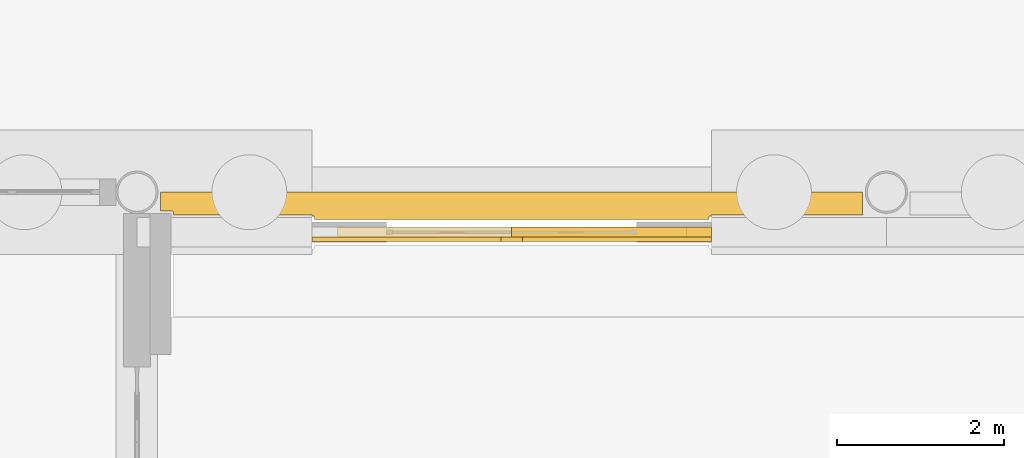
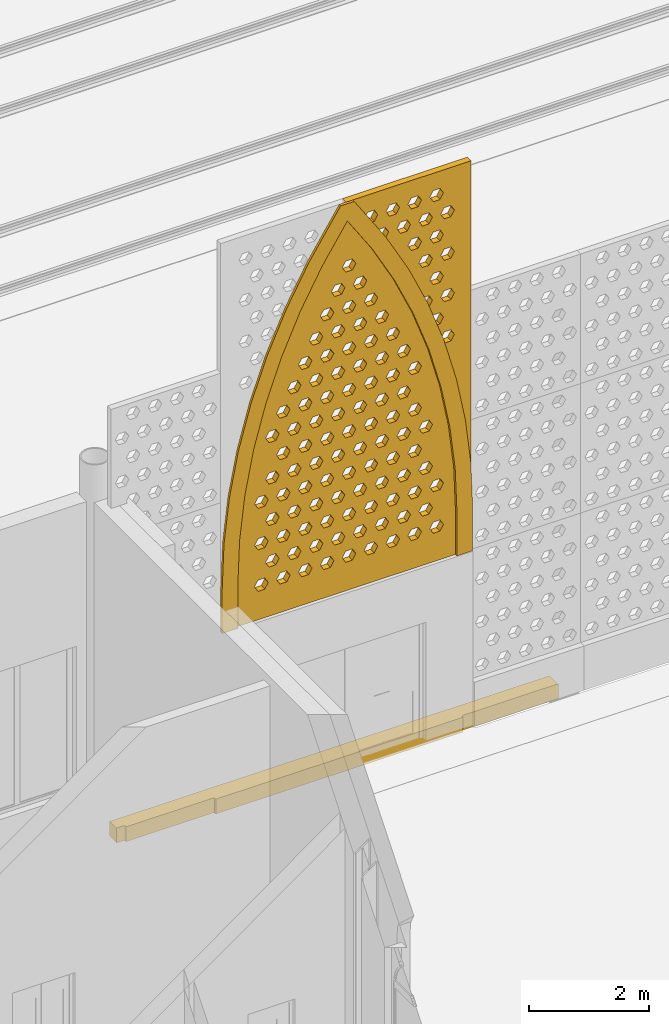
# One storey, part 186 of 250: 2 coverings, 2 shading devices.
"""IFC4 building model written with IfcOpenShell, lengths in metres."""

from ifc_helpers import new_model, si_unit, direction, frame, origin, place, context, subcontext, project, spatial, polyline, outline, extrude, material, layer, layer_set, type_object, element, save


model = new_model("IFC4")

# Units and contexts
model_context = context("Model", 3, precision=1e-05, world=origin(), true_north=direction((0.0, 1.0)))
body_context = subcontext(model_context, "Body", "Model", "MODEL_VIEW")
ifc_project = project(units=[si_unit("LENGTHUNIT", "METRE"), si_unit("AREAUNIT", "SQUARE_METRE"), si_unit("VOLUMEUNIT", "CUBIC_METRE"), si_unit("PLANEANGLEUNIT", "RADIAN"), si_unit("MASSUNIT", "GRAM", prefix="KILO")], contexts=[model_context])

# Site, building, storey
site_placement = place(None, origin())
site = spatial("IfcSite", under=ifc_project, at=site_placement, CompositionType="ELEMENT")
building_placement = place(site_placement, origin())
building = spatial("IfcBuilding", under=site, at=building_placement, Name="Baradari Gate Terminus", CompositionType="ELEMENT")
storey_placement = place(building_placement, origin())
storey = spatial("IfcBuildingStorey", under=building, at=storey_placement, Name="L00", CompositionType="ELEMENT", Elevation=0.0)

# Covering
ifc_material_1 = material(Name="Laterite masonry", Category="masonry")
ifc_layer_1 = layer(ifc_material_1, 0.050048828125)
ifc_layer_set_1 = layer_set([ifc_layer_1], Name="Laterite masonry")
covering_type_1 = type_object("IfcCoveringType", Name="Arch ring RG-1 50", PredefinedType="CLADDING", material=ifc_layer_set_1)
covering_1_placement = place(storey_placement, frame((155.10009765625, 35.43505859375, 3.52490234375), z_axis=(0.0, 0.0, 1.0), x_axis=(1.0, 0.0, 0.0)))
element("IfcCovering", 1, at=covering_1_placement, inside=storey, type_object=covering_type_1, Name="Arch ring RG-1 SC00b", PredefinedType="CLADDING", context=body_context, shape_type="SweptSolid", body=[
    extrude(outline(polyline([(0.034423828125, 1.8046875), (0.0, 0.90576171875), (0.0, 0.0), (0.300048828125, 0.0), (0.300048828125, 0.900146484375), (0.333740234375, 1.78173828125), (0.435302734375, 2.658203125), (0.603515625, 3.5244140625), (0.837646484375, 4.375), (1.13623046875, 5.205322265625), (1.49755859375, 6.01025390625), (1.919677734375, 6.784912109375), (2.39990234375, 7.525146484375), (2.880126953125, 6.784912109375), (3.30224609375, 6.01025390625), (3.663818359375, 5.205322265625), (3.96240234375, 4.375), (4.196533203125, 3.5244140625), (4.36474609375, 2.658203125), (4.466064453125, 1.78173828125), (4.5, 0.900146484375), (4.5, 0.0), (4.800048828125, 0.0), (4.800048828125, 0.90576171875), (4.765380859375, 1.8046875), (4.66162109375, 2.7041015625), (4.48876953125, 3.5927734375), (4.24853515625, 4.4658203125), (3.942138671875, 5.317626953125), (3.5712890625, 6.1435546875), (3.13818359375, 6.9384765625), (2.530517578125, 7.875), (2.26953125, 7.875), (1.661865234375, 6.9384765625), (1.228759765625, 6.1435546875), (0.85791015625, 5.317626953125), (0.55126953125, 4.4658203125), (0.31103515625, 3.5927734375), (0.138427734375, 2.7041015625), (0.034423828125, 1.8046875)])), frame((0.0, 0.02490234375, 0.0), z_axis=(0.0, -1.0, 0.0), x_axis=(1.0, 0.0, 0.0)), (0.0, 0.0, 1.0), 0.050048828125),
])

# Shading devices
ifc_material_2 = material(Name="Concrete C50/60 precast", Category="concrete")
ifc_layer_2 = layer(ifc_material_2, 0.1201171875)
ifc_layer_set_2 = layer_set([ifc_layer_2], Name="Concrete C50/60 precast")
shading_device_type = type_object("IfcShadingDeviceType", Name="Jali screen panel JS-2 120", PredefinedType="SHUTTER", material=ifc_layer_set_2)
shading_device_1_placement = place(storey_placement, frame((155.39990234375, 35.52001953125, 3.52490234375), z_axis=(0.0, 0.0, 1.0), x_axis=(1.0, 0.0, 0.0)))
element("IfcShadingDevice", 2, at=shading_device_1_placement, inside=storey, type_object=shading_device_type, Name="Jali screen panel JS-2 SC00b arch A", PredefinedType="SHUTTER", context=body_context, shape_type="SweptSolid", body=[
    extrude(outline(polyline([(0.0, 0.900146484375), (0.0, 0.0), (4.199951171875, 0.0), (4.199951171875, 0.900146484375), (4.166259765625, 1.78173828125), (4.064697265625, 2.658203125), (3.896484375, 3.5244140625), (3.662353515625, 4.375), (3.36376953125, 5.205322265625), (3.00244140625, 6.01025390625), (2.580322265625, 6.784912109375), (2.10009765625, 7.525146484375), (1.619873046875, 6.784912109375), (1.19775390625, 6.01025390625), (0.836181640625, 5.205322265625), (0.53759765625, 4.375), (0.303466796875, 3.5244140625), (0.13525390625, 2.658203125), (0.033935546875, 1.78173828125), (0.0, 0.900146484375)]), holes=[polyline([(0.610107421875, 0.690185546875), (0.544921875, 0.57763671875), (0.4150390625, 0.57763671875), (0.35009765625, 0.690185546875), (0.4150390625, 0.802734375), (0.544921875, 0.802734375), (0.610107421875, 0.690185546875)]), polyline([(1.030029296875, 0.690185546875), (0.965087890625, 0.57763671875), (0.8349609375, 0.57763671875), (0.77001953125, 0.690185546875), (0.8349609375, 0.802734375), (0.965087890625, 0.802734375), (1.030029296875, 0.690185546875)]), polyline([(1.449951171875, 0.690185546875), (1.385009765625, 0.57763671875), (1.2548828125, 0.57763671875), (1.18994140625, 0.690185546875), (1.2548828125, 0.802734375), (1.385009765625, 0.802734375), (1.449951171875, 0.690185546875)]), polyline([(1.8701171875, 0.690185546875), (1.804931640625, 0.57763671875), (1.675048828125, 0.57763671875), (1.610107421875, 0.690185546875), (1.675048828125, 0.802734375), (1.804931640625, 0.802734375), (1.8701171875, 0.690185546875)]), polyline([(2.2900390625, 0.690185546875), (2.22509765625, 0.57763671875), (2.094970703125, 0.57763671875), (2.030029296875, 0.690185546875), (2.094970703125, 0.802734375), (2.22509765625, 0.802734375), (2.2900390625, 0.690185546875)]), polyline([(2.7099609375, 0.690185546875), (2.64501953125, 0.57763671875), (2.514892578125, 0.57763671875), (2.449951171875, 0.690185546875), (2.514892578125, 0.802734375), (2.64501953125, 0.802734375), (2.7099609375, 0.690185546875)]), polyline([(3.1298828125, 0.690185546875), (3.06494140625, 0.57763671875), (2.93505859375, 0.57763671875), (2.8701171875, 0.690185546875), (2.93505859375, 0.802734375), (3.06494140625, 0.802734375), (3.1298828125, 0.690185546875)]), polyline([(3.550048828125, 0.690185546875), (3.485107421875, 0.57763671875), (3.35498046875, 0.57763671875), (3.2900390625, 0.690185546875), (3.35498046875, 0.802734375), (3.485107421875, 0.802734375), (3.550048828125, 0.690185546875)]), polyline([(3.969970703125, 0.690185546875), (3.905029296875, 0.57763671875), (3.77490234375, 0.57763671875), (3.7099609375, 0.690185546875), (3.77490234375, 0.802734375), (3.905029296875, 0.802734375), (3.969970703125, 0.690185546875)]), polyline([(0.820068359375, 1.110107421875), (0.7548828125, 0.99755859375), (0.625, 0.99755859375), (0.56005859375, 1.110107421875), (0.625, 1.22265625), (0.7548828125, 1.22265625), (0.820068359375, 1.110107421875)]), polyline([(1.239990234375, 1.110107421875), (1.175048828125, 0.99755859375), (1.044921875, 0.99755859375), (0.97998046875, 1.110107421875), (1.044921875, 1.22265625), (1.175048828125, 1.22265625), (1.239990234375, 1.110107421875)]), polyline([(1.659912109375, 1.110107421875), (1.594970703125, 0.99755859375), (1.465087890625, 0.99755859375), (1.39990234375, 1.110107421875), (1.465087890625, 1.22265625), (1.594970703125, 1.22265625), (1.659912109375, 1.110107421875)]), polyline([(2.080078125, 1.110107421875), (2.014892578125, 0.99755859375), (1.885009765625, 0.99755859375), (1.820068359375, 1.110107421875), (1.885009765625, 1.22265625), (2.014892578125, 1.22265625), (2.080078125, 1.110107421875)]), polyline([(2.5, 1.110107421875), (2.43505859375, 0.99755859375), (2.304931640625, 0.99755859375), (2.239990234375, 1.110107421875), (2.304931640625, 1.22265625), (2.43505859375, 1.22265625), (2.5, 1.110107421875)]), polyline([(2.919921875, 1.110107421875), (2.85498046875, 0.99755859375), (2.72509765625, 0.99755859375), (2.659912109375, 1.110107421875), (2.72509765625, 1.22265625), (2.85498046875, 1.22265625), (2.919921875, 1.110107421875)]), polyline([(3.340087890625, 1.110107421875), (3.27490234375, 0.99755859375), (3.14501953125, 0.99755859375), (3.080078125, 1.110107421875), (3.14501953125, 1.22265625), (3.27490234375, 1.22265625), (3.340087890625, 1.110107421875)]), polyline([(3.760009765625, 1.110107421875), (3.695068359375, 0.99755859375), (3.56494140625, 0.99755859375), (3.5, 1.110107421875), (3.56494140625, 1.22265625), (3.695068359375, 1.22265625), (3.760009765625, 1.110107421875)]), polyline([(0.610107421875, 1.530029296875), (0.544921875, 1.41748046875), (0.4150390625, 1.41748046875), (0.35009765625, 1.530029296875), (0.4150390625, 1.642578125), (0.544921875, 1.642578125), (0.610107421875, 1.530029296875)]), polyline([(1.030029296875, 1.530029296875), (0.965087890625, 1.41748046875), (0.8349609375, 1.41748046875), (0.77001953125, 1.530029296875), (0.8349609375, 1.642578125), (0.965087890625, 1.642578125), (1.030029296875, 1.530029296875)]), polyline([(1.449951171875, 1.530029296875), (1.385009765625, 1.41748046875), (1.2548828125, 1.41748046875), (1.18994140625, 1.530029296875), (1.2548828125, 1.642578125), (1.385009765625, 1.642578125), (1.449951171875, 1.530029296875)]), polyline([(1.8701171875, 1.530029296875), (1.804931640625, 1.41748046875), (1.675048828125, 1.41748046875), (1.610107421875, 1.530029296875), (1.675048828125, 1.642578125), (1.804931640625, 1.642578125), (1.8701171875, 1.530029296875)]), polyline([(2.2900390625, 1.530029296875), (2.22509765625, 1.41748046875), (2.094970703125, 1.41748046875), (2.030029296875, 1.530029296875), (2.094970703125, 1.642578125), (2.22509765625, 1.642578125), (2.2900390625, 1.530029296875)]), polyline([(2.7099609375, 1.530029296875), (2.64501953125, 1.41748046875), (2.514892578125, 1.41748046875), (2.449951171875, 1.530029296875), (2.514892578125, 1.642578125), (2.64501953125, 1.642578125), (2.7099609375, 1.530029296875)]), polyline([(3.1298828125, 1.530029296875), (3.06494140625, 1.41748046875), (2.93505859375, 1.41748046875), (2.8701171875, 1.530029296875), (2.93505859375, 1.642578125), (3.06494140625, 1.642578125), (3.1298828125, 1.530029296875)]), polyline([(3.550048828125, 1.530029296875), (3.485107421875, 1.41748046875), (3.35498046875, 1.41748046875), (3.2900390625, 1.530029296875), (3.35498046875, 1.642578125), (3.485107421875, 1.642578125), (3.550048828125, 1.530029296875)]), polyline([(3.969970703125, 1.530029296875), (3.905029296875, 1.41748046875), (3.77490234375, 1.41748046875), (3.7099609375, 1.530029296875), (3.77490234375, 1.642578125), (3.905029296875, 1.642578125), (3.969970703125, 1.530029296875)]), polyline([(0.820068359375, 1.9501953125), (0.7548828125, 1.83740234375), (0.625, 1.83740234375), (0.56005859375, 1.9501953125), (0.625, 2.062744140625), (0.7548828125, 2.062744140625), (0.820068359375, 1.9501953125)]), polyline([(1.239990234375, 1.9501953125), (1.175048828125, 1.83740234375), (1.044921875, 1.83740234375), (0.97998046875, 1.9501953125), (1.044921875, 2.062744140625), (1.175048828125, 2.062744140625), (1.239990234375, 1.9501953125)]), polyline([(1.659912109375, 1.9501953125), (1.594970703125, 1.83740234375), (1.465087890625, 1.83740234375), (1.39990234375, 1.9501953125), (1.465087890625, 2.062744140625), (1.594970703125, 2.062744140625), (1.659912109375, 1.9501953125)]), polyline([(2.080078125, 1.9501953125), (2.014892578125, 1.83740234375), (1.885009765625, 1.83740234375), (1.820068359375, 1.9501953125), (1.885009765625, 2.062744140625), (2.014892578125, 2.062744140625), (2.080078125, 1.9501953125)]), polyline([(2.5, 1.9501953125), (2.43505859375, 1.83740234375), (2.304931640625, 1.83740234375), (2.239990234375, 1.9501953125), (2.304931640625, 2.062744140625), (2.43505859375, 2.062744140625), (2.5, 1.9501953125)]), polyline([(2.919921875, 1.9501953125), (2.85498046875, 1.83740234375), (2.72509765625, 1.83740234375), (2.659912109375, 1.9501953125), (2.72509765625, 2.062744140625), (2.85498046875, 2.062744140625), (2.919921875, 1.9501953125)]), polyline([(3.340087890625, 1.9501953125), (3.27490234375, 1.83740234375), (3.14501953125, 1.83740234375), (3.080078125, 1.9501953125), (3.14501953125, 2.062744140625), (3.27490234375, 2.062744140625), (3.340087890625, 1.9501953125)]), polyline([(3.760009765625, 1.9501953125), (3.695068359375, 1.83740234375), (3.56494140625, 1.83740234375), (3.5, 1.9501953125), (3.56494140625, 2.062744140625), (3.695068359375, 2.062744140625), (3.760009765625, 1.9501953125)]), polyline([(0.610107421875, 2.3701171875), (0.544921875, 2.257568359375), (0.4150390625, 2.257568359375), (0.35009765625, 2.3701171875), (0.4150390625, 2.482666015625), (0.544921875, 2.482666015625), (0.610107421875, 2.3701171875)]), polyline([(1.030029296875, 2.3701171875), (0.965087890625, 2.257568359375), (0.8349609375, 2.257568359375), (0.77001953125, 2.3701171875), (0.8349609375, 2.482666015625), (0.965087890625, 2.482666015625), (1.030029296875, 2.3701171875)]), polyline([(1.449951171875, 2.3701171875), (1.385009765625, 2.257568359375), (1.2548828125, 2.257568359375), (1.18994140625, 2.3701171875), (1.2548828125, 2.482666015625), (1.385009765625, 2.482666015625), (1.449951171875, 2.3701171875)]), polyline([(1.8701171875, 2.3701171875), (1.804931640625, 2.257568359375), (1.675048828125, 2.257568359375), (1.610107421875, 2.3701171875), (1.675048828125, 2.482666015625), (1.804931640625, 2.482666015625), (1.8701171875, 2.3701171875)]), polyline([(2.2900390625, 2.3701171875), (2.22509765625, 2.257568359375), (2.094970703125, 2.257568359375), (2.030029296875, 2.3701171875), (2.094970703125, 2.482666015625), (2.22509765625, 2.482666015625), (2.2900390625, 2.3701171875)]), polyline([(2.7099609375, 2.3701171875), (2.64501953125, 2.257568359375), (2.514892578125, 2.257568359375), (2.449951171875, 2.3701171875), (2.514892578125, 2.482666015625), (2.64501953125, 2.482666015625), (2.7099609375, 2.3701171875)]), polyline([(3.1298828125, 2.3701171875), (3.06494140625, 2.257568359375), (2.93505859375, 2.257568359375), (2.8701171875, 2.3701171875), (2.93505859375, 2.482666015625), (3.06494140625, 2.482666015625), (3.1298828125, 2.3701171875)]), polyline([(3.550048828125, 2.3701171875), (3.485107421875, 2.257568359375), (3.35498046875, 2.257568359375), (3.2900390625, 2.3701171875), (3.35498046875, 2.482666015625), (3.485107421875, 2.482666015625), (3.550048828125, 2.3701171875)]), polyline([(0.820068359375, 2.7900390625), (0.7548828125, 2.677490234375), (0.625, 2.677490234375), (0.56005859375, 2.7900390625), (0.625, 2.902587890625), (0.7548828125, 2.902587890625), (0.820068359375, 2.7900390625)]), polyline([(1.239990234375, 2.7900390625), (1.175048828125, 2.677490234375), (1.044921875, 2.677490234375), (0.97998046875, 2.7900390625), (1.044921875, 2.902587890625), (1.175048828125, 2.902587890625), (1.239990234375, 2.7900390625)]), polyline([(1.659912109375, 2.7900390625), (1.594970703125, 2.677490234375), (1.465087890625, 2.677490234375), (1.39990234375, 2.7900390625), (1.465087890625, 2.902587890625), (1.594970703125, 2.902587890625), (1.659912109375, 2.7900390625)]), polyline([(2.080078125, 2.7900390625), (2.014892578125, 2.677490234375), (1.885009765625, 2.677490234375), (1.820068359375, 2.7900390625), (1.885009765625, 2.902587890625), (2.014892578125, 2.902587890625), (2.080078125, 2.7900390625)]), polyline([(2.5, 2.7900390625), (2.43505859375, 2.677490234375), (2.304931640625, 2.677490234375), (2.239990234375, 2.7900390625), (2.304931640625, 2.902587890625), (2.43505859375, 2.902587890625), (2.5, 2.7900390625)]), polyline([(2.919921875, 2.7900390625), (2.85498046875, 2.677490234375), (2.72509765625, 2.677490234375), (2.659912109375, 2.7900390625), (2.72509765625, 2.902587890625), (2.85498046875, 2.902587890625), (2.919921875, 2.7900390625)]), polyline([(3.340087890625, 2.7900390625), (3.27490234375, 2.677490234375), (3.14501953125, 2.677490234375), (3.080078125, 2.7900390625), (3.14501953125, 2.902587890625), (3.27490234375, 2.902587890625), (3.340087890625, 2.7900390625)]), polyline([(3.760009765625, 2.7900390625), (3.695068359375, 2.677490234375), (3.56494140625, 2.677490234375), (3.5, 2.7900390625), (3.56494140625, 2.902587890625), (3.695068359375, 2.902587890625), (3.760009765625, 2.7900390625)]), polyline([(1.030029296875, 3.210205078125), (0.965087890625, 3.097412109375), (0.8349609375, 3.097412109375), (0.77001953125, 3.210205078125), (0.8349609375, 3.32275390625), (0.965087890625, 3.32275390625), (1.030029296875, 3.210205078125)]), polyline([(1.449951171875, 3.210205078125), (1.385009765625, 3.097412109375), (1.2548828125, 3.097412109375), (1.18994140625, 3.210205078125), (1.2548828125, 3.32275390625), (1.385009765625, 3.32275390625), (1.449951171875, 3.210205078125)]), polyline([(1.8701171875, 3.210205078125), (1.804931640625, 3.097412109375), (1.675048828125, 3.097412109375), (1.610107421875, 3.210205078125), (1.675048828125, 3.32275390625), (1.804931640625, 3.32275390625), (1.8701171875, 3.210205078125)]), polyline([(2.2900390625, 3.210205078125), (2.22509765625, 3.097412109375), (2.094970703125, 3.097412109375), (2.030029296875, 3.210205078125), (2.094970703125, 3.32275390625), (2.22509765625, 3.32275390625), (2.2900390625, 3.210205078125)]), polyline([(2.7099609375, 3.210205078125), (2.64501953125, 3.097412109375), (2.514892578125, 3.097412109375), (2.449951171875, 3.210205078125), (2.514892578125, 3.32275390625), (2.64501953125, 3.32275390625), (2.7099609375, 3.210205078125)]), polyline([(3.1298828125, 3.210205078125), (3.06494140625, 3.097412109375), (2.93505859375, 3.097412109375), (2.8701171875, 3.210205078125), (2.93505859375, 3.32275390625), (3.06494140625, 3.32275390625), (3.1298828125, 3.210205078125)]), polyline([(3.550048828125, 3.210205078125), (3.485107421875, 3.097412109375), (3.35498046875, 3.097412109375), (3.2900390625, 3.210205078125), (3.35498046875, 3.32275390625), (3.485107421875, 3.32275390625), (3.550048828125, 3.210205078125)]), polyline([(0.820068359375, 3.630126953125), (0.7548828125, 3.517578125), (0.625, 3.517578125), (0.56005859375, 3.630126953125), (0.625, 3.74267578125), (0.7548828125, 3.74267578125), (0.820068359375, 3.630126953125)]), polyline([(1.239990234375, 3.630126953125), (1.175048828125, 3.517578125), (1.044921875, 3.517578125), (0.97998046875, 3.630126953125), (1.044921875, 3.74267578125), (1.175048828125, 3.74267578125), (1.239990234375, 3.630126953125)]), polyline([(1.659912109375, 3.630126953125), (1.594970703125, 3.517578125), (1.465087890625, 3.517578125), (1.39990234375, 3.630126953125), (1.465087890625, 3.74267578125), (1.594970703125, 3.74267578125), (1.659912109375, 3.630126953125)]), polyline([(2.080078125, 3.630126953125), (2.014892578125, 3.517578125), (1.885009765625, 3.517578125), (1.820068359375, 3.630126953125), (1.885009765625, 3.74267578125), (2.014892578125, 3.74267578125), (2.080078125, 3.630126953125)]), polyline([(2.5, 3.630126953125), (2.43505859375, 3.517578125), (2.304931640625, 3.517578125), (2.239990234375, 3.630126953125), (2.304931640625, 3.74267578125), (2.43505859375, 3.74267578125), (2.5, 3.630126953125)]), polyline([(2.919921875, 3.630126953125), (2.85498046875, 3.517578125), (2.72509765625, 3.517578125), (2.659912109375, 3.630126953125), (2.72509765625, 3.74267578125), (2.85498046875, 3.74267578125), (2.919921875, 3.630126953125)]), polyline([(3.340087890625, 3.630126953125), (3.27490234375, 3.517578125), (3.14501953125, 3.517578125), (3.080078125, 3.630126953125), (3.14501953125, 3.74267578125), (3.27490234375, 3.74267578125), (3.340087890625, 3.630126953125)]), polyline([(1.030029296875, 4.050048828125), (0.965087890625, 3.9375), (0.8349609375, 3.9375), (0.77001953125, 4.050048828125), (0.8349609375, 4.16259765625), (0.965087890625, 4.16259765625), (1.030029296875, 4.050048828125)]), polyline([(1.449951171875, 4.050048828125), (1.385009765625, 3.9375), (1.2548828125, 3.9375), (1.18994140625, 4.050048828125), (1.2548828125, 4.16259765625), (1.385009765625, 4.16259765625), (1.449951171875, 4.050048828125)]), polyline([(1.8701171875, 4.050048828125), (1.804931640625, 3.9375), (1.675048828125, 3.9375), (1.610107421875, 4.050048828125), (1.675048828125, 4.16259765625), (1.804931640625, 4.16259765625), (1.8701171875, 4.050048828125)]), polyline([(2.2900390625, 4.050048828125), (2.22509765625, 3.9375), (2.094970703125, 3.9375), (2.030029296875, 4.050048828125), (2.094970703125, 4.16259765625), (2.22509765625, 4.16259765625), (2.2900390625, 4.050048828125)]), polyline([(2.7099609375, 4.050048828125), (2.64501953125, 3.9375), (2.514892578125, 3.9375), (2.449951171875, 4.050048828125), (2.514892578125, 4.16259765625), (2.64501953125, 4.16259765625), (2.7099609375, 4.050048828125)]), polyline([(3.1298828125, 4.050048828125), (3.06494140625, 3.9375), (2.93505859375, 3.9375), (2.8701171875, 4.050048828125), (2.93505859375, 4.16259765625), (3.06494140625, 4.16259765625), (3.1298828125, 4.050048828125)]), polyline([(3.550048828125, 4.050048828125), (3.485107421875, 3.9375), (3.35498046875, 3.9375), (3.2900390625, 4.050048828125), (3.35498046875, 4.16259765625), (3.485107421875, 4.16259765625), (3.550048828125, 4.050048828125)]), polyline([(1.239990234375, 4.47021484375), (1.175048828125, 4.357421875), (1.044921875, 4.357421875), (0.97998046875, 4.47021484375), (1.044921875, 4.582763671875), (1.175048828125, 4.582763671875), (1.239990234375, 4.47021484375)]), polyline([(1.659912109375, 4.47021484375), (1.594970703125, 4.357421875), (1.465087890625, 4.357421875), (1.39990234375, 4.47021484375), (1.465087890625, 4.582763671875), (1.594970703125, 4.582763671875), (1.659912109375, 4.47021484375)]), polyline([(2.080078125, 4.47021484375), (2.014892578125, 4.357421875), (1.885009765625, 4.357421875), (1.820068359375, 4.47021484375), (1.885009765625, 4.582763671875), (2.014892578125, 4.582763671875), (2.080078125, 4.47021484375)]), polyline([(2.5, 4.47021484375), (2.43505859375, 4.357421875), (2.304931640625, 4.357421875), (2.239990234375, 4.47021484375), (2.304931640625, 4.582763671875), (2.43505859375, 4.582763671875), (2.5, 4.47021484375)]), polyline([(2.919921875, 4.47021484375), (2.85498046875, 4.357421875), (2.72509765625, 4.357421875), (2.659912109375, 4.47021484375), (2.72509765625, 4.582763671875), (2.85498046875, 4.582763671875), (2.919921875, 4.47021484375)]), polyline([(3.340087890625, 4.47021484375), (3.27490234375, 4.357421875), (3.14501953125, 4.357421875), (3.080078125, 4.47021484375), (3.14501953125, 4.582763671875), (3.27490234375, 4.582763671875), (3.340087890625, 4.47021484375)]), polyline([(1.449951171875, 4.89013671875), (1.385009765625, 4.777587890625), (1.2548828125, 4.777587890625), (1.18994140625, 4.89013671875), (1.2548828125, 5.002685546875), (1.385009765625, 5.002685546875), (1.449951171875, 4.89013671875)]), polyline([(1.8701171875, 4.89013671875), (1.804931640625, 4.777587890625), (1.675048828125, 4.777587890625), (1.610107421875, 4.89013671875), (1.675048828125, 5.002685546875), (1.804931640625, 5.002685546875), (1.8701171875, 4.89013671875)]), polyline([(2.2900390625, 4.89013671875), (2.22509765625, 4.777587890625), (2.094970703125, 4.777587890625), (2.030029296875, 4.89013671875), (2.094970703125, 5.002685546875), (2.22509765625, 5.002685546875), (2.2900390625, 4.89013671875)]), polyline([(2.7099609375, 4.89013671875), (2.64501953125, 4.777587890625), (2.514892578125, 4.777587890625), (2.449951171875, 4.89013671875), (2.514892578125, 5.002685546875), (2.64501953125, 5.002685546875), (2.7099609375, 4.89013671875)]), polyline([(3.1298828125, 4.89013671875), (3.06494140625, 4.777587890625), (2.93505859375, 4.777587890625), (2.8701171875, 4.89013671875), (2.93505859375, 5.002685546875), (3.06494140625, 5.002685546875), (3.1298828125, 4.89013671875)]), polyline([(1.659912109375, 5.31005859375), (1.594970703125, 5.197509765625), (1.465087890625, 5.197509765625), (1.39990234375, 5.31005859375), (1.465087890625, 5.422607421875), (1.594970703125, 5.422607421875), (1.659912109375, 5.31005859375)]), polyline([(2.080078125, 5.31005859375), (2.014892578125, 5.197509765625), (1.885009765625, 5.197509765625), (1.820068359375, 5.31005859375), (1.885009765625, 5.422607421875), (2.014892578125, 5.422607421875), (2.080078125, 5.31005859375)]), polyline([(2.5, 5.31005859375), (2.43505859375, 5.197509765625), (2.304931640625, 5.197509765625), (2.239990234375, 5.31005859375), (2.304931640625, 5.422607421875), (2.43505859375, 5.422607421875), (2.5, 5.31005859375)]), polyline([(2.919921875, 5.31005859375), (2.85498046875, 5.197509765625), (2.72509765625, 5.197509765625), (2.659912109375, 5.31005859375), (2.72509765625, 5.422607421875), (2.85498046875, 5.422607421875), (2.919921875, 5.31005859375)]), polyline([(1.8701171875, 5.72998046875), (1.804931640625, 5.617431640625), (1.675048828125, 5.617431640625), (1.610107421875, 5.72998046875), (1.675048828125, 5.8427734375), (1.804931640625, 5.8427734375), (1.8701171875, 5.72998046875)]), polyline([(2.2900390625, 5.72998046875), (2.22509765625, 5.617431640625), (2.094970703125, 5.617431640625), (2.030029296875, 5.72998046875), (2.094970703125, 5.8427734375), (2.22509765625, 5.8427734375), (2.2900390625, 5.72998046875)]), polyline([(2.7099609375, 5.72998046875), (2.64501953125, 5.617431640625), (2.514892578125, 5.617431640625), (2.449951171875, 5.72998046875), (2.514892578125, 5.8427734375), (2.64501953125, 5.8427734375), (2.7099609375, 5.72998046875)]), polyline([(2.080078125, 6.150146484375), (2.014892578125, 6.03759765625), (1.885009765625, 6.03759765625), (1.820068359375, 6.150146484375), (1.885009765625, 6.2626953125), (2.014892578125, 6.2626953125), (2.080078125, 6.150146484375)]), polyline([(2.5, 6.150146484375), (2.43505859375, 6.03759765625), (2.304931640625, 6.03759765625), (2.239990234375, 6.150146484375), (2.304931640625, 6.2626953125), (2.43505859375, 6.2626953125), (2.5, 6.150146484375)]), polyline([(2.2900390625, 6.570068359375), (2.22509765625, 6.45751953125), (2.094970703125, 6.45751953125), (2.030029296875, 6.570068359375), (2.094970703125, 6.6826171875), (2.22509765625, 6.6826171875), (2.2900390625, 6.570068359375)])]), frame((0.0, 0.06005859375, 0.0), z_axis=(0.0, -1.0, 0.0), x_axis=(1.0, 0.0, 0.0)), (0.0, 0.0, 1.0), 0.1201171875),
])
shading_device_2_placement = place(storey_placement, frame((157.5, 35.52001953125, 3.52490234375), z_axis=(0.0, 0.0, 1.0), x_axis=(1.0, 0.0, 0.0)))
element("IfcShadingDevice", 3, at=shading_device_2_placement, inside=storey, type_object=shading_device_type, Name="Jali screen panel JS-2 SC00b arch R1", PredefinedType="SHUTTER", context=body_context, shape_type="SweptSolid", body=[
    extrude(outline(polyline([(0.0, 7.875), (0.0, 7.525146484375), (0.480224609375, 6.784912109375), (0.90234375, 6.01025390625), (1.263671875, 5.205322265625), (1.5625, 4.375), (1.796630859375, 3.5244140625), (1.96484375, 2.658203125), (2.066162109375, 1.78173828125), (2.10009765625, 0.900146484375), (2.10009765625, 0.0), (2.39990234375, 0.0), (2.39990234375, 7.875), (0.0, 7.875)]), holes=[polyline([(2.080078125, 4.47021484375), (2.014892578125, 4.357421875), (1.885009765625, 4.357421875), (1.820068359375, 4.47021484375), (1.885009765625, 4.582763671875), (2.014892578125, 4.582763671875), (2.080078125, 4.47021484375)]), polyline([(1.8701171875, 4.89013671875), (1.804931640625, 4.777587890625), (1.675048828125, 4.777587890625), (1.610107421875, 4.89013671875), (1.675048828125, 5.002685546875), (1.804931640625, 5.002685546875), (1.8701171875, 4.89013671875)]), polyline([(1.659912109375, 5.31005859375), (1.594970703125, 5.197509765625), (1.465087890625, 5.197509765625), (1.39990234375, 5.31005859375), (1.465087890625, 5.422607421875), (1.594970703125, 5.422607421875), (1.659912109375, 5.31005859375)]), polyline([(2.080078125, 5.31005859375), (2.014892578125, 5.197509765625), (1.885009765625, 5.197509765625), (1.820068359375, 5.31005859375), (1.885009765625, 5.422607421875), (2.014892578125, 5.422607421875), (2.080078125, 5.31005859375)]), polyline([(1.8701171875, 5.72998046875), (1.804931640625, 5.617431640625), (1.675048828125, 5.617431640625), (1.610107421875, 5.72998046875), (1.675048828125, 5.8427734375), (1.804931640625, 5.8427734375), (1.8701171875, 5.72998046875)]), polyline([(1.659912109375, 6.150146484375), (1.594970703125, 6.03759765625), (1.465087890625, 6.03759765625), (1.39990234375, 6.150146484375), (1.465087890625, 6.2626953125), (1.594970703125, 6.2626953125), (1.659912109375, 6.150146484375)]), polyline([(2.080078125, 6.150146484375), (2.014892578125, 6.03759765625), (1.885009765625, 6.03759765625), (1.820068359375, 6.150146484375), (1.885009765625, 6.2626953125), (2.014892578125, 6.2626953125), (2.080078125, 6.150146484375)]), polyline([(1.449951171875, 6.570068359375), (1.385009765625, 6.45751953125), (1.2548828125, 6.45751953125), (1.18994140625, 6.570068359375), (1.2548828125, 6.6826171875), (1.385009765625, 6.6826171875), (1.449951171875, 6.570068359375)]), polyline([(1.8701171875, 6.570068359375), (1.804931640625, 6.45751953125), (1.675048828125, 6.45751953125), (1.610107421875, 6.570068359375), (1.675048828125, 6.6826171875), (1.804931640625, 6.6826171875), (1.8701171875, 6.570068359375)]), polyline([(0.820068359375, 6.989990234375), (0.7548828125, 6.87744140625), (0.625, 6.87744140625), (0.56005859375, 6.989990234375), (0.625, 7.102783203125), (0.7548828125, 7.102783203125), (0.820068359375, 6.989990234375)]), polyline([(1.239990234375, 6.989990234375), (1.175048828125, 6.87744140625), (1.044921875, 6.87744140625), (0.97998046875, 6.989990234375), (1.044921875, 7.102783203125), (1.175048828125, 7.102783203125), (1.239990234375, 6.989990234375)]), polyline([(1.659912109375, 6.989990234375), (1.594970703125, 6.87744140625), (1.465087890625, 6.87744140625), (1.39990234375, 6.989990234375), (1.465087890625, 7.102783203125), (1.594970703125, 7.102783203125), (1.659912109375, 6.989990234375)]), polyline([(2.080078125, 6.989990234375), (2.014892578125, 6.87744140625), (1.885009765625, 6.87744140625), (1.820068359375, 6.989990234375), (1.885009765625, 7.102783203125), (2.014892578125, 7.102783203125), (2.080078125, 6.989990234375)]), polyline([(0.610107421875, 7.41015625), (0.544921875, 7.297607421875), (0.4150390625, 7.297607421875), (0.35009765625, 7.41015625), (0.4150390625, 7.522705078125), (0.544921875, 7.522705078125), (0.610107421875, 7.41015625)]), polyline([(1.030029296875, 7.41015625), (0.965087890625, 7.297607421875), (0.8349609375, 7.297607421875), (0.77001953125, 7.41015625), (0.8349609375, 7.522705078125), (0.965087890625, 7.522705078125), (1.030029296875, 7.41015625)]), polyline([(1.449951171875, 7.41015625), (1.385009765625, 7.297607421875), (1.2548828125, 7.297607421875), (1.18994140625, 7.41015625), (1.2548828125, 7.522705078125), (1.385009765625, 7.522705078125), (1.449951171875, 7.41015625)]), polyline([(1.8701171875, 7.41015625), (1.804931640625, 7.297607421875), (1.675048828125, 7.297607421875), (1.610107421875, 7.41015625), (1.675048828125, 7.522705078125), (1.804931640625, 7.522705078125), (1.8701171875, 7.41015625)])]), frame((0.0, 0.06005859375, 0.0), z_axis=(0.0, -1.0, 0.0), x_axis=(1.0, 0.0, 0.0)), (0.0, 0.0, 1.0), 0.1201171875),
])

# Covering
ifc_material_3 = material(Name="Planted lawn")
ifc_layer_3 = layer(ifc_material_3, 0.300048828125)
ifc_layer_set_3 = layer_set([ifc_layer_3], Name="Planted lawn")
covering_type_2 = type_object("IfcCoveringType", Name="Planted lawn bed LW-1 300", PredefinedType="USERDEFINED", material=ifc_layer_set_3)
covering_2_placement = place(storey_placement, frame((0.0, 0.0, -0.300048828125)))
element("IfcCovering", 4, at=covering_2_placement, inside=storey, type_object=covering_type_2, Name="Planted lawn 3", ObjectType="LAWN", PredefinedType="USERDEFINED", context=body_context, shape_type="SweptSolid", body=[
    extrude(outline(polyline([(153.424072265625, 35.7724609375), (153.4267578125, 35.77099609375), (153.428955078125, 35.769287109375), (153.43115234375, 35.767333984375), (153.43310546875, 35.76513671875), (153.43505859375, 35.7626953125), (153.4365234375, 35.76025390625), (153.437744140625, 35.757568359375), (153.438720703125, 35.754638671875), (153.439453125, 35.751953125), (153.43994140625, 35.7490234375), (153.43994140625, 35.74609375), (153.43994140625, 35.72509765625), (155.10009765625, 35.72509765625), (155.10302734375, 35.724853515625), (155.10595703125, 35.724365234375), (155.108642578125, 35.7236328125), (155.111572265625, 35.72265625), (155.1142578125, 35.721435546875), (155.11669921875, 35.719970703125), (155.119140625, 35.71826171875), (155.12109375, 35.71630859375), (155.123291015625, 35.714111328125), (155.125, 35.711669921875), (155.12646484375, 35.709228515625), (155.127685546875, 35.70654296875), (155.128662109375, 35.70361328125), (155.12939453125, 35.700927734375), (155.1298828125, 35.697998046875), (155.1298828125, 35.695068359375), (155.1298828125, 35.675048828125), (159.8701171875, 35.675048828125), (159.8701171875, 35.695068359375), (159.8701171875, 35.697998046875), (159.87060546875, 35.700927734375), (159.871337890625, 35.70361328125), (159.872314453125, 35.70654296875), (159.87353515625, 35.709228515625), (159.875, 35.711669921875), (159.876708984375, 35.714111328125), (159.87890625, 35.71630859375), (159.880859375, 35.71826171875), (159.88330078125, 35.719970703125), (159.8857421875, 35.721435546875), (159.888427734375, 35.72265625), (159.891357421875, 35.7236328125), (159.89404296875, 35.724365234375), (159.89697265625, 35.724853515625), (159.89990234375, 35.72509765625), (161.724609375, 35.72509765625), (161.722900390625, 35.72705078125), (161.720947265625, 35.729248046875), (161.719482421875, 35.73193359375), (161.71826171875, 35.734619140625), (161.71728515625, 35.7373046875), (161.716552734375, 35.740234375), (161.716064453125, 35.7431640625), (161.716064453125, 35.74609375), (161.716064453125, 36.0), (153.283935546875, 36.0), (153.283935546875, 35.77587890625), (153.409912109375, 35.77587890625), (153.412841796875, 35.77587890625), (153.415771484375, 35.775390625), (153.418701171875, 35.774658203125), (153.42138671875, 35.773681640625), (153.424072265625, 35.7724609375)])), origin(), (0.0, 0.0, 1.0), 0.300048828125),
])

save(model, "model.ifc")
